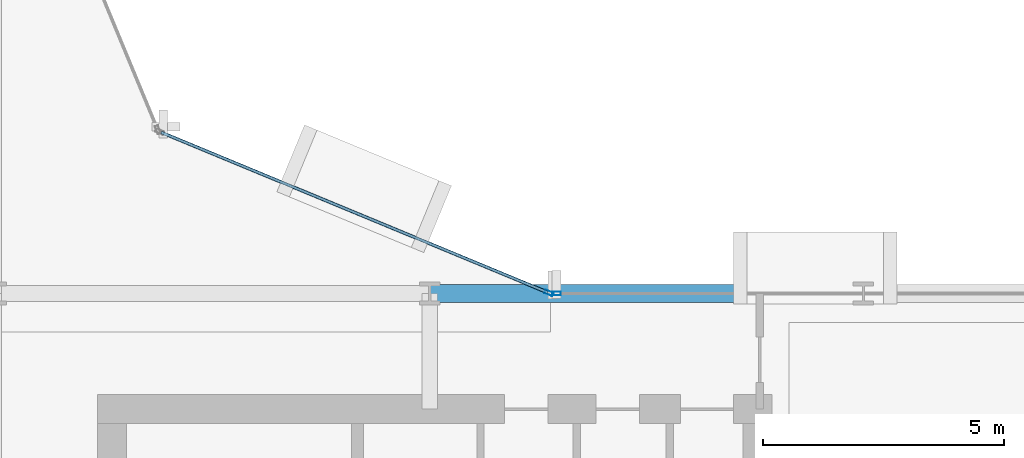
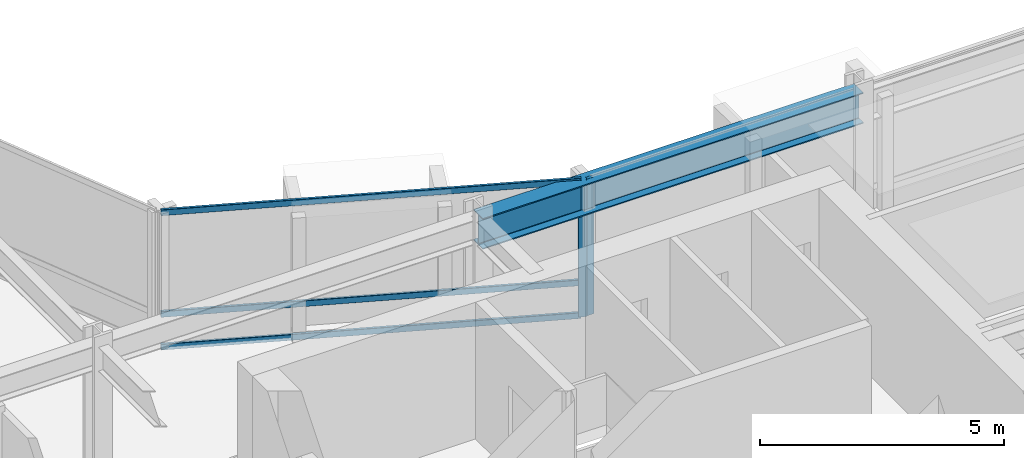
# One storey, part 15 of 34: 5 members, 1 beam, 2 elements without a shape of their own.
"""IFC4 building model written with IfcOpenShell, lengths in metres."""

import ifcopenshell
import ifcopenshell.guid

model = None  # the IFC model being written
_history = None  # IfcOwnerHistory: only IFC2X3 demands one
_inside = {}  # id of a spatial element -> (the spatial element, [elements in it])
_under = {}  # id of a project, library or spatial element -> (it, [spatial elements below it])
_declared = {}  # id of a project -> (the project, [libraries it declares])
_typed = {}  # id of a type object -> (the type object, [elements of that type])
_made_of = {}  # id of a material, layer set ... -> (it, [elements and type objects made of it])


def new_model(schema):
    """Start an empty IFC model of exactly this schema.

    Asked for "IFC4X3", IfcOpenShell would pick the latest addendum, in which some entities
    have other attributes; the version numbers below select the first issue.
    IFC2X3 requires an IfcOwnerHistory on every rooted entity: one is made here for all.
    """
    global model, _history
    if schema == "IFC4X3":
        model = ifcopenshell.file(schema_version=(4, 3, 0, 0))
    else:
        model = ifcopenshell.file(schema=schema)
    _inside.clear()
    _under.clear()
    _declared.clear()
    _typed.clear()
    _made_of.clear()
    _history = None
    if model.schema == "IFC2X3":
        org = make("IfcOrganization", Name="unknown")
        user = make(
            "IfcPersonAndOrganization",
            ThePerson=make("IfcPerson", FamilyName="unknown"),
            TheOrganization=org,
        )
        app = make(
            "IfcApplication",
            ApplicationDeveloper=org,
            Version="unknown",
            ApplicationFullName="unknown",
            ApplicationIdentifier="unknown",
        )
        _history = make(
            "IfcOwnerHistory",
            OwningUser=user,
            OwningApplication=app,
            ChangeAction="ADDED",
            CreationDate=0,
        )
    return model


def make(cls, **values):
    """One entity of the class cls with the attributes given. An attribute that is None is left unset."""
    return model.create_entity(
        cls, **{name: value for name, value in values.items() if value is not None}
    )


def rooted(cls, **values):
    """An entity with a GlobalId (a new one), such as an element, a storey or a relation."""
    return make(cls, GlobalId=ifcopenshell.guid.new(), OwnerHistory=_history, **values)


def si_unit(unit_type, name, prefix=None):
    """IfcSIUnit, for example si_unit("LENGTHUNIT", "METRE", prefix="MILLI")."""
    return make("IfcSIUnit", UnitType=unit_type, Prefix=prefix, Name=name)


def assignment(units):
    """IfcUnitAssignment: the units of a project."""
    return None if units is None else make("IfcUnitAssignment", Units=units)


def point(xyz):
    """IfcCartesianPoint."""
    return None if xyz is None else make("IfcCartesianPoint", Coordinates=xyz)


def direction(xyz):
    """IfcDirection."""
    return None if xyz is None else make("IfcDirection", DirectionRatios=xyz)


def frame(location, z_axis=None, x_axis=None):
    """IfcAxis2Placement3D, a coordinate frame: its origin and axes. An axis left out is left unset."""
    return make(
        "IfcAxis2Placement3D",
        Location=point(location),
        Axis=direction(z_axis),
        RefDirection=direction(x_axis),
    )


def frame_2d(location, x_axis=None):
    """IfcAxis2Placement2D, a coordinate frame in the plane: its origin and x axis."""
    return make(
        "IfcAxis2Placement2D", Location=point(location), RefDirection=direction(x_axis)
    )


def origin():
    """The frame at (0, 0, 0) with its axes left unset."""
    return frame((0.0, 0.0, 0.0))


def origin_2d():
    """The frame at (0, 0) in the plane with its x axis left unset."""
    return frame_2d((0.0, 0.0))


def place(relative_to, where):
    """IfcLocalPlacement: puts the frame where relative to a parent placement (None: the world)."""
    return make(
        "IfcLocalPlacement", PlacementRelTo=relative_to, RelativePlacement=where
    )


def context(
    kind, dimensions, precision=None, world=None, true_north=None, identifier=None
):
    """IfcGeometricRepresentationContext, for example the 3D "Model" context."""
    return make(
        "IfcGeometricRepresentationContext",
        ContextIdentifier=identifier,
        ContextType=kind,
        CoordinateSpaceDimension=dimensions,
        Precision=precision,
        WorldCoordinateSystem=world,
        TrueNorth=true_north,
    )


def subcontext(parent, identifier, kind, view, scale=None):
    """IfcGeometricRepresentationSubContext, for example "Body" below "Model"."""
    return make(
        "IfcGeometricRepresentationSubContext",
        ContextIdentifier=identifier,
        ContextType=kind,
        ParentContext=parent,
        TargetScale=scale,
        TargetView=view,
    )


def project(units=None, contexts=None):
    """IfcProject with its units and contexts."""
    return rooted(
        "IfcProject",
        Name="project",
        RepresentationContexts=contexts,
        UnitsInContext=assignment(units),
    )


def spatial(cls, under=None, at=None, **own):
    """A site, building, storey or space (cls), placed at a placement, below another one or the project."""
    s = rooted(cls, ObjectPlacement=at, **own)
    if under is not None:
        _under.setdefault(under.id(), (under, []))[1].append(s)
    return s


def profile(cls, at=None, kind="AREA", **sizes):
    """A parametric profile (cls). Its sizes go by their IFC names, for example OverallWidth=200.0."""
    return make(cls, ProfileType=kind, Position=at, **sizes)


def hollow_rectangle(**sizes):
    """IfcRectangleHollowProfileDef."""
    return profile("IfcRectangleHollowProfileDef", **sizes)


def i_section(**sizes):
    """IfcIShapeProfileDef."""
    return profile("IfcIShapeProfileDef", **sizes)


def extrude(swept, where, along, depth):
    """IfcExtrudedAreaSolid: the profile swept, set in the frame where, extruded along a direction by depth."""
    return make(
        "IfcExtrudedAreaSolid",
        SweptArea=swept,
        Position=where,
        ExtrudedDirection=direction(along),
        Depth=depth,
    )


def shape(context_of_items, identifier, shape_type, items):
    """IfcShapeRepresentation: the items that make up one representation, for example the "Body"."""
    return make(
        "IfcShapeRepresentation",
        ContextOfItems=context_of_items,
        RepresentationIdentifier=identifier,
        RepresentationType=shape_type,
        Items=items,
    )


def material(Name=None, Category=None):
    """IfcMaterial."""
    return make("IfcMaterial", Name=Name, Category=Category)


def layer(
    of_material, thickness, ventilated=None, Name=None, Category=None, Priority=None
):
    """IfcMaterialLayer: one layer of a wall or slab, of a material (None: an air gap)."""
    return make(
        "IfcMaterialLayer",
        Material=of_material,
        LayerThickness=thickness,
        IsVentilated=ventilated,
        Name=Name,
        Category=Category,
        Priority=Priority,
    )


def layer_set(layers, Name=None):
    """IfcMaterialLayerSet."""
    return make("IfcMaterialLayerSet", MaterialLayers=layers, LayerSetName=Name)


def material_profile(
    of_material, cross_section, Name=None, Category=None, Priority=None
):
    """IfcMaterialProfile: a cross section and its material."""
    return make(
        "IfcMaterialProfile",
        Name=Name,
        Material=of_material,
        Profile=cross_section,
        Priority=Priority,
        Category=Category,
    )


def profile_set(profiles, Name=None, composite=None):
    """IfcMaterialProfileSet."""
    return make(
        "IfcMaterialProfileSet",
        Name=Name,
        MaterialProfiles=profiles,
        CompositeProfile=composite,
    )


def made_of(thing, what):
    """Note that an element or type object is made of a material, layer set ...; save() writes the relation."""
    if what is not None:
        _made_of.setdefault(what.id(), (what, []))[1].append(thing)
    return thing


def type_object(cls, material=None, **own):
    """A type object (cls), such as IfcWallType, which elements share."""
    return made_of(rooted(cls, **own), material)


def element(
    cls,
    number,
    at=None,
    inside=None,
    cuts=None,
    type_object=None,
    material=None,
    context=None,
    identifier="Body",
    shape_type=None,
    held_by="IfcProductDefinitionShape",
    body=None,
    shapes=None,
    **own,
):
    """One element of the class cls, such as IfcWall. Its Tag is "e" and its number.

    at: its placement. inside: the storey or other place that contains it. cuts: it is an
    opening in that element (IfcRelVoidsElement). A single representation is given by context,
    identifier, shape_type and body (its items); several are given by shapes. held_by: the class
    of the entity that holds the representations. save() writes the other relations.
    """
    e = rooted(cls, Tag="e%d" % number, ObjectPlacement=at, **own)
    if body is not None:
        shapes = [shape(context, identifier, shape_type, body)]
    if shapes is not None:
        e.Representation = make(held_by, Representations=shapes)
    if inside is not None:
        _inside.setdefault(inside.id(), (inside, []))[1].append(e)
    if cuts is not None:
        rooted(
            "IfcRelVoidsElement", RelatingBuildingElement=cuts, RelatedOpeningElement=e
        )
    if type_object is not None:
        _typed.setdefault(type_object.id(), (type_object, []))[1].append(e)
    return made_of(e, material)


def aggregate(whole, parts):
    """IfcRelAggregates: a whole, such as a stair, and the parts it consists of."""
    return rooted("IfcRelAggregates", RelatingObject=whole, RelatedObjects=parts)


def save(model, path):
    """Write the relations noted so far, then the file.

    IfcRelAggregates (storeys below a building ...), IfcRelContainedInSpatialStructure (elements
    in a storey), IfcRelDefinesByType, IfcRelAssociatesMaterial and IfcRelDeclares: one each for
    every whole, place, type object, material and project.
    """
    for whole, parts in _under.values():
        aggregate(whole, parts)
    for where, things in _inside.values():
        rooted(
            "IfcRelContainedInSpatialStructure",
            RelatedElements=things,
            RelatingStructure=where,
        )
    for kind, things in _typed.values():
        rooted("IfcRelDefinesByType", RelatedObjects=things, RelatingType=kind)
    for what, things in _made_of.values():
        rooted("IfcRelAssociatesMaterial", RelatedObjects=things, RelatingMaterial=what)
    for by, libraries in _declared.values():
        rooted("IfcRelDeclares", RelatingContext=by, RelatedDefinitions=libraries)
    model.write(path)


model = new_model("IFC4")

# Units and contexts
model_context = context("Model", 3, precision=1e-05, world=origin(), true_north=direction((0.0, 1.0)))
body_context = subcontext(model_context, "Body", "Model", "MODEL_VIEW")
ifc_project = project(units=[si_unit("LENGTHUNIT", "METRE"), si_unit("AREAUNIT", "SQUARE_METRE"), si_unit("VOLUMEUNIT", "CUBIC_METRE"), si_unit("PLANEANGLEUNIT", "RADIAN"), si_unit("MASSUNIT", "GRAM", prefix="KILO")], contexts=[model_context])

# Site, building, storey
site_placement = place(None, origin())
site = spatial("IfcSite", under=ifc_project, at=site_placement, CompositionType="ELEMENT")
building_placement = place(site_placement, origin())
building = spatial("IfcBuilding", under=site, at=building_placement, Name="Solvaryn Broadcast Tower", CompositionType="ELEMENT")
storey_placement = place(building_placement, frame((0.0, 0.0, 92.800048828125)))
storey = spatial("IfcBuildingStorey", under=building, at=storey_placement, Name="L22", CompositionType="ELEMENT", Elevation=92.800048828125)

# Beam
ifc_material_1 = material(Name="Steel ASTM A992 Grade 50", Category="steel")
ifc_material_profile_1 = material_profile(ifc_material_1, i_section(OverallWidth=0.381103515625, OverallDepth=0.77294921875, WebThickness=0.0166015625, FlangeThickness=0.027099609375, FilletRadius=0.01806640625, at=origin_2d()))
ifc_profile_set_1 = profile_set([ifc_material_profile_1], Name="Steel ASTM A992 Grade 50")
beam_type = type_object("IfcBeamType", Name="BM-SP1-W30X173", PredefinedType="USERDEFINED", material=ifc_profile_set_1)
beam_placement = place(storey_placement, frame((36.0, 27.0, 3.033447265625), z_axis=(1.0, 0.0, 0.0), x_axis=(0.0, 1.0, 0.0)))
element("IfcBeam", 1, at=beam_placement, inside=storey, type_object=beam_type, Name="L22 Spandrel Beam X (36-45 @ Y=27)", ObjectType="SPANDREL", PredefinedType="USERDEFINED", context=body_context, shape_type="SweptSolid", body=[
    extrude(i_section(OverallWidth=0.381103515625, OverallDepth=0.77294921875, WebThickness=0.0166015625, FlangeThickness=0.027099609375, FilletRadius=0.01806640625, at=origin_2d()), origin(), (0.0, 0.0, 1.0), 9.0),
])

# Curtain wall, member
ifc_material_2 = material(Name="Aluminium and Terracotta Unitised Curtain Wall", Category="masonry")
ifc_layer = layer(ifc_material_2, 0.199951171875)
ifc_layer_set = layer_set([ifc_layer], Name="CW-SYS2-LOWMID")
curtain_wall_type = type_object("IfcCurtainWallType", Name="CW-SYS2-LOWMID", PredefinedType="NOTDEFINED", material=ifc_layer_set)
curtain_wall_1_placement = place(storey_placement, origin())
curtain_wall_1 = element("IfcCurtainWall", 2, at=curtain_wall_1_placement, inside=storey, type_object=curtain_wall_type, Name="L22 Curtain Wall CN1", PredefinedType="NOTDEFINED")
ifc_material_3 = material(Name="Anodised Aluminium 6063-T6", Category="aluminium")
ifc_material_profile_2 = material_profile(ifc_material_3, hollow_rectangle(XDim=0.074951171875, YDim=0.179931640625, WallThickness=0.00390625, InnerFilletRadius=0.00390625, OuterFilletRadius=0.008056640625, at=origin_2d()))
ifc_profile_set_2 = profile_set([ifc_material_profile_2], Name="Anodised Aluminium 6063-T6")
member_type_1 = type_object("IfcMemberType", Name="CW-MUL-180", PredefinedType="MULLION", material=ifc_profile_set_2)
member_1_placement = place(storey_placement, frame((38.47216796875, 27.011474609375, 0.0), z_axis=(0.0, 0.0, 1.0), x_axis=(-0.382646127145, -0.923894983957, 0.0)))
member_1 = element("IfcMember", 3, at=member_1_placement, type_object=member_type_1, Name="CWS2 mullion 1", PredefinedType="MULLION", context=body_context, shape_type="SweptSolid", body=[
    extrude(hollow_rectangle(XDim=0.074951171875, YDim=0.179931640625, WallThickness=0.00390625, InnerFilletRadius=0.00390625, OuterFilletRadius=0.008056640625, at=origin_2d()), origin(), (0.0, 0.0, 1.0), 3.419921875),
])

curtain_wall_2_placement = place(storey_placement, origin())
curtain_wall_2 = element("IfcCurtainWall", 4, at=curtain_wall_2_placement, inside=storey, type_object=curtain_wall_type, Name="L22 Curtain Wall IH", PredefinedType="NOTDEFINED")
member_2_placement = place(storey_placement, frame((38.6298828125, 27.0, 0.0), z_axis=(0.0, 0.0, 1.0), x_axis=(0.0, 1.0, 0.0)))
member_2 = element("IfcMember", 5, at=member_2_placement, type_object=member_type_1, Name="CWS2 mullion 1", PredefinedType="MULLION", context=body_context, shape_type="SweptSolid", body=[
    extrude(hollow_rectangle(XDim=0.074951171875, YDim=0.179931640625, WallThickness=0.00390625, InnerFilletRadius=0.00390625, OuterFilletRadius=0.008056640625, at=origin_2d()), origin(), (0.0, 0.0, 1.0), 3.419921875),
])
aggregate(curtain_wall_2, [member_2])

# Member
ifc_material_4 = material(Name="Anodised Aluminium 6063-T6", Category="aluminium")
ifc_material_profile_3 = material_profile(ifc_material_4, hollow_rectangle(XDim=0.06494140625, YDim=0.14990234375, WallThickness=0.00390625, InnerFilletRadius=0.00390625, OuterFilletRadius=0.008056640625, at=origin_2d()))
ifc_profile_set_3 = profile_set([ifc_material_profile_3], Name="Anodised Aluminium 6063-T6")
member_type_2 = type_object("IfcMemberType", Name="CW-TRN-150", PredefinedType="USERDEFINED", material=ifc_profile_set_3)
member_3_placement = place(storey_placement, frame((38.444580078125, 27.02294921875, 0.030029296875), z_axis=(-0.923899282177, 0.382635748975, 0.0), x_axis=(-0.382635748975, -0.923899282177, 0.0)))
member_3 = element("IfcMember", 6, at=member_3_placement, type_object=member_type_2, Name="CWS2 transom 1.1", ObjectType="TRANSOM", PredefinedType="USERDEFINED", context=body_context, shape_type="SweptSolid", body=[
    extrude(hollow_rectangle(XDim=0.06494140625, YDim=0.14990234375, WallThickness=0.00390625, InnerFilletRadius=0.00390625, OuterFilletRadius=0.008056640625, at=origin_2d()), origin(), (0.0, 0.0, 1.0), 8.681884765625),
])

member_4_placement = place(storey_placement, frame((38.444580078125, 27.02294921875, 0.849853515625), z_axis=(-0.923899282177, 0.382635748975, 0.0), x_axis=(-0.382635748975, -0.923899282177, 0.0)))
member_4 = element("IfcMember", 7, at=member_4_placement, type_object=member_type_2, Name="CWS2 transom 1.2", ObjectType="TRANSOM", PredefinedType="USERDEFINED", context=body_context, shape_type="SweptSolid", body=[
    extrude(hollow_rectangle(XDim=0.06494140625, YDim=0.14990234375, WallThickness=0.00390625, InnerFilletRadius=0.00390625, OuterFilletRadius=0.008056640625, at=origin_2d()), origin(), (0.0, 0.0, 1.0), 8.681884765625),
])

member_5_placement = place(storey_placement, frame((38.444580078125, 27.02294921875, 3.389892578125), z_axis=(-0.923899282177, 0.382635748975, 0.0), x_axis=(-0.382635748975, -0.923899282177, 0.0)))
member_5 = element("IfcMember", 8, at=member_5_placement, type_object=member_type_2, Name="CWS2 transom 1.3", ObjectType="TRANSOM", PredefinedType="USERDEFINED", context=body_context, shape_type="SweptSolid", body=[
    extrude(hollow_rectangle(XDim=0.06494140625, YDim=0.14990234375, WallThickness=0.00390625, InnerFilletRadius=0.00390625, OuterFilletRadius=0.008056640625, at=origin_2d()), origin(), (0.0, 0.0, 1.0), 8.681884765625),
])

aggregate(curtain_wall_1, [member_1, member_3, member_4, member_5])

save(model, "model.ifc")
